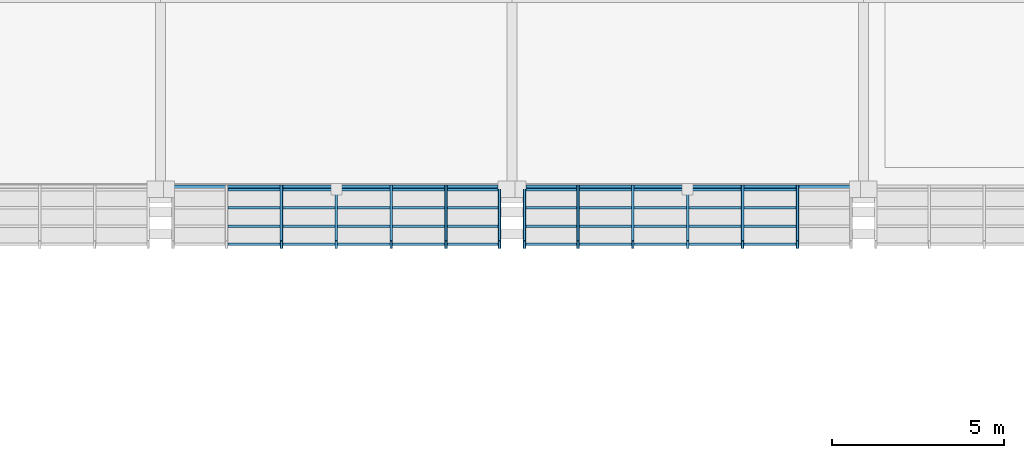
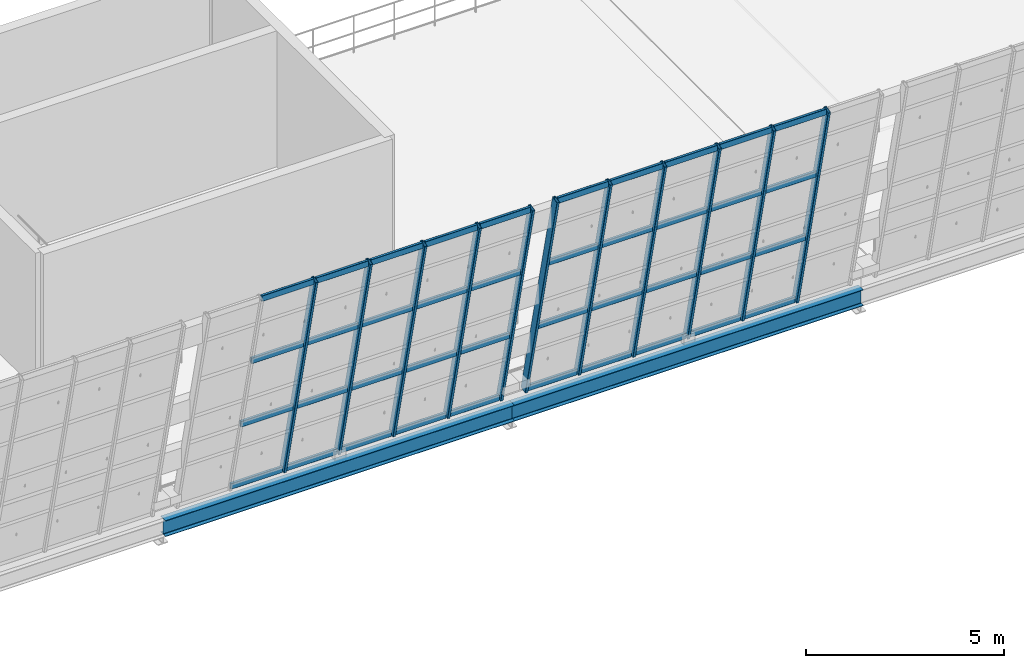
# One storey, part 47 of 157: 51 members, 2 beams, 2 elements without a shape of their own.
"""IFC4 building model written with IfcOpenShell, lengths in metres."""

from ifc_helpers import new_model, si_unit, direction, frame, origin, origin_2d, place, context, subcontext, project, spatial, hollow_rectangle, i_section, extrude, material, material_profile, profile_set, type_object, element, aggregate, save


model = new_model("IFC4")

# Units and contexts
model_context = context("Model", 3, precision=1e-05, world=origin(), true_north=direction((0.0, 1.0)))
body_context = subcontext(model_context, "Body", "Model", "MODEL_VIEW")
ifc_project = project(units=[si_unit("LENGTHUNIT", "METRE"), si_unit("AREAUNIT", "SQUARE_METRE"), si_unit("VOLUMEUNIT", "CUBIC_METRE"), si_unit("PLANEANGLEUNIT", "RADIAN"), si_unit("MASSUNIT", "GRAM", prefix="KILO")], contexts=[model_context])

# Site, building, storey
site_placement = place(None, origin())
site = spatial("IfcSite", under=ifc_project, at=site_placement, CompositionType="ELEMENT")
building_placement = place(site_placement, origin())
building = spatial("IfcBuilding", under=site, at=building_placement, Name="Brelvane Convention Centre", CompositionType="ELEMENT")
storey_placement = place(building_placement, frame((0.0, 0.0, 10.800048828125)))
storey = spatial("IfcBuildingStorey", under=building, at=storey_placement, Name="L02", CompositionType="ELEMENT", Elevation=10.800048828125)

# Curtain wall, members
ifc_material_1 = material(Name="Anodised Aluminium Alloy 6063-T6", Category="aluminium")
curtain_wall_type = type_object("IfcCurtainWallType", Name="Curtain Wall CW-HULL-S", PredefinedType="USERDEFINED", material=ifc_material_1)
curtain_wall_1_placement = place(storey_placement, origin())
curtain_wall_1 = element("IfcCurtainWall", 1, at=curtain_wall_1_placement, inside=storey, type_object=curtain_wall_type, Name="Curtain Wall CW-HULL-S L02-HULL-S-L02-13", ObjectType="UNITISED", PredefinedType="USERDEFINED")
ifc_material_2 = material(Name="Anodised Aluminium Alloy 6063-T6", Category="aluminium")
ifc_material_profile_1 = material_profile(ifc_material_2, hollow_rectangle(XDim=0.080078125, YDim=0.239990234375, WallThickness=0.006103515625, InnerFilletRadius=0.006103515625, OuterFilletRadius=0.011962890625, at=origin_2d()), Name="ALU-M 240x80x6.0")
ifc_profile_set_1 = profile_set([ifc_material_profile_1], Name="Anodised Aluminium Alloy 6063-T6")
member_type_1 = type_object("IfcMemberType", Name="Curtain Mullion CW-M1", PredefinedType="MULLION", material=ifc_profile_set_1)
member_1_placement = place(storey_placement, frame((125.90673828125, 13.60009765625, 0.0), z_axis=(0.0, -0.228360410362, 0.973576665178), x_axis=(1.0, 0.0, 0.0)))
member_1 = element("IfcMember", 2, at=member_1_placement, type_object=member_type_1, Name="CW-HULL-S mullion 3", PredefinedType="MULLION", context=body_context, shape_type="SweptSolid", body=[
    extrude(hollow_rectangle(XDim=0.080078125, YDim=0.239990234375, WallThickness=0.006103515625, InnerFilletRadius=0.006103515625, OuterFilletRadius=0.011962890625, at=origin_2d()), origin(), (0.0, 0.0, 1.0), 7.03564453125),
])
member_2_placement = place(storey_placement, frame((127.5, 13.60009765625, 0.0), z_axis=(0.0, -0.228360410362, 0.973576665178), x_axis=(1.0, 0.0, 0.0)))
member_2 = element("IfcMember", 3, at=member_2_placement, type_object=member_type_1, Name="CW-HULL-S mullion 4", PredefinedType="MULLION", context=body_context, shape_type="SweptSolid", body=[
    extrude(hollow_rectangle(XDim=0.080078125, YDim=0.239990234375, WallThickness=0.006103515625, InnerFilletRadius=0.006103515625, OuterFilletRadius=0.011962890625, at=origin_2d()), origin(), (0.0, 0.0, 1.0), 7.03564453125),
])
member_3_placement = place(storey_placement, frame((129.09326171875, 13.60009765625, 0.0), z_axis=(0.0, -0.228360410362, 0.973576665178), x_axis=(1.0, 0.0, 0.0)))
member_3 = element("IfcMember", 4, at=member_3_placement, type_object=member_type_1, Name="CW-HULL-S mullion 5", PredefinedType="MULLION", context=body_context, shape_type="SweptSolid", body=[
    extrude(hollow_rectangle(XDim=0.080078125, YDim=0.239990234375, WallThickness=0.006103515625, InnerFilletRadius=0.006103515625, OuterFilletRadius=0.011962890625, at=origin_2d()), origin(), (0.0, 0.0, 1.0), 7.03564453125),
])
member_4_placement = place(storey_placement, frame((130.686767578125, 13.60009765625, 0.0), z_axis=(0.0, -0.228360410362, 0.973576665178), x_axis=(1.0, 0.0, 0.0)))
member_4 = element("IfcMember", 5, at=member_4_placement, type_object=member_type_1, Name="CW-HULL-S mullion 6", PredefinedType="MULLION", context=body_context, shape_type="SweptSolid", body=[
    extrude(hollow_rectangle(XDim=0.080078125, YDim=0.239990234375, WallThickness=0.006103515625, InnerFilletRadius=0.006103515625, OuterFilletRadius=0.011962890625, at=origin_2d()), origin(), (0.0, 0.0, 1.0), 7.03564453125),
])
member_5_placement = place(storey_placement, frame((132.239990234375, 13.60009765625, 0.0), z_axis=(0.0, -0.228360410362, 0.973576665178), x_axis=(1.0, 0.0, 0.0)))
member_5 = element("IfcMember", 6, at=member_5_placement, type_object=member_type_1, Name="CW-HULL-S mullion 7", PredefinedType="MULLION", context=body_context, shape_type="SweptSolid", body=[
    extrude(hollow_rectangle(XDim=0.080078125, YDim=0.239990234375, WallThickness=0.006103515625, InnerFilletRadius=0.006103515625, OuterFilletRadius=0.011962890625, at=origin_2d()), origin(), (0.0, 0.0, 1.0), 7.03564453125),
])

curtain_wall_2_placement = place(storey_placement, origin())
curtain_wall_2 = element("IfcCurtainWall", 7, at=curtain_wall_2_placement, inside=storey, type_object=curtain_wall_type, Name="Curtain Wall CW-HULL-S L02-HULL-S-L02-14", ObjectType="UNITISED", PredefinedType="USERDEFINED")
member_6_placement = place(storey_placement, frame((132.9599609375, 13.60009765625, 0.0), z_axis=(0.0, -0.228360410362, 0.973576665178), x_axis=(1.0, 0.0, 0.0)))
member_6 = element("IfcMember", 8, at=member_6_placement, type_object=member_type_1, Name="CW-HULL-S mullion 1", PredefinedType="MULLION", context=body_context, shape_type="SweptSolid", body=[
    extrude(hollow_rectangle(XDim=0.080078125, YDim=0.239990234375, WallThickness=0.006103515625, InnerFilletRadius=0.006103515625, OuterFilletRadius=0.011962890625, at=origin_2d()), origin(), (0.0, 0.0, 1.0), 7.03564453125),
])
member_7_placement = place(storey_placement, frame((134.513427734375, 13.60009765625, 0.0), z_axis=(0.0, -0.228360410362, 0.973576665178), x_axis=(1.0, 0.0, 0.0)))
member_7 = element("IfcMember", 9, at=member_7_placement, type_object=member_type_1, Name="CW-HULL-S mullion 2", PredefinedType="MULLION", context=body_context, shape_type="SweptSolid", body=[
    extrude(hollow_rectangle(XDim=0.080078125, YDim=0.239990234375, WallThickness=0.006103515625, InnerFilletRadius=0.006103515625, OuterFilletRadius=0.011962890625, at=origin_2d()), origin(), (0.0, 0.0, 1.0), 7.03564453125),
])
member_8_placement = place(storey_placement, frame((136.106689453125, 13.60009765625, 0.0), z_axis=(0.0, -0.228360410362, 0.973576665178), x_axis=(1.0, 0.0, 0.0)))
member_8 = element("IfcMember", 10, at=member_8_placement, type_object=member_type_1, Name="CW-HULL-S mullion 3", PredefinedType="MULLION", context=body_context, shape_type="SweptSolid", body=[
    extrude(hollow_rectangle(XDim=0.080078125, YDim=0.239990234375, WallThickness=0.006103515625, InnerFilletRadius=0.006103515625, OuterFilletRadius=0.011962890625, at=origin_2d()), origin(), (0.0, 0.0, 1.0), 7.03564453125),
])
member_9_placement = place(storey_placement, frame((137.699951171875, 13.60009765625, 0.0), z_axis=(0.0, -0.228360410362, 0.973576665178), x_axis=(1.0, 0.0, 0.0)))
member_9 = element("IfcMember", 11, at=member_9_placement, type_object=member_type_1, Name="CW-HULL-S mullion 4", PredefinedType="MULLION", context=body_context, shape_type="SweptSolid", body=[
    extrude(hollow_rectangle(XDim=0.080078125, YDim=0.239990234375, WallThickness=0.006103515625, InnerFilletRadius=0.006103515625, OuterFilletRadius=0.011962890625, at=origin_2d()), origin(), (0.0, 0.0, 1.0), 7.03564453125),
])
member_10_placement = place(storey_placement, frame((139.293212890625, 13.60009765625, 0.0), z_axis=(0.0, -0.228360410362, 0.973576665178), x_axis=(1.0, 0.0, 0.0)))
member_10 = element("IfcMember", 12, at=member_10_placement, type_object=member_type_1, Name="CW-HULL-S mullion 5", PredefinedType="MULLION", context=body_context, shape_type="SweptSolid", body=[
    extrude(hollow_rectangle(XDim=0.080078125, YDim=0.239990234375, WallThickness=0.006103515625, InnerFilletRadius=0.006103515625, OuterFilletRadius=0.011962890625, at=origin_2d()), origin(), (0.0, 0.0, 1.0), 7.03564453125),
])
member_11_placement = place(storey_placement, frame((140.88671875, 13.60009765625, 0.0), z_axis=(0.0, -0.228360410362, 0.973576665178), x_axis=(1.0, 0.0, 0.0)))
member_11 = element("IfcMember", 13, at=member_11_placement, type_object=member_type_1, Name="CW-HULL-S mullion 6", PredefinedType="MULLION", context=body_context, shape_type="SweptSolid", body=[
    extrude(hollow_rectangle(XDim=0.080078125, YDim=0.239990234375, WallThickness=0.006103515625, InnerFilletRadius=0.006103515625, OuterFilletRadius=0.011962890625, at=origin_2d()), origin(), (0.0, 0.0, 1.0), 7.03564453125),
])

# Member
ifc_material_3 = material(Name="Anodised Aluminium Alloy 6063-T6", Category="aluminium")
ifc_material_profile_2 = material_profile(ifc_material_3, hollow_rectangle(XDim=0.080078125, YDim=0.179931640625, WallThickness=0.0048828125, InnerFilletRadius=0.0048828125, OuterFilletRadius=0.010009765625, at=origin_2d()), Name="ALU-T 180x80x5.0")
ifc_profile_set_2 = profile_set([ifc_material_profile_2], Name="Anodised Aluminium Alloy 6063-T6")
member_type_2 = type_object("IfcMemberType", Name="Curtain Transom CW-T1", PredefinedType="USERDEFINED", material=ifc_profile_set_2)
member_12_placement = place(storey_placement, frame((124.353271484375, 13.590576171875, 0.0400390625), z_axis=(1.0, 0.0, 0.0), x_axis=(0.0, 1.0, 0.0)))
member_12 = element("IfcMember", 14, at=member_12_placement, type_object=member_type_2, Name="CW-HULL-S transom 2.1", ObjectType="TRANSOM", PredefinedType="USERDEFINED", context=body_context, shape_type="SweptSolid", body=[
    extrude(hollow_rectangle(XDim=0.080078125, YDim=0.179931640625, WallThickness=0.0048828125, InnerFilletRadius=0.0048828125, OuterFilletRadius=0.010009765625, at=origin_2d()), origin(), (0.0, 0.0, 1.0), 1.513427734375),
])

member_13_placement = place(storey_placement, frame((124.353271484375, 13.064453125, 2.283203125), z_axis=(1.0, 0.0, 0.0), x_axis=(0.0, 1.0, 0.0)))
member_13 = element("IfcMember", 15, at=member_13_placement, type_object=member_type_2, Name="CW-HULL-S transom 2.2", ObjectType="TRANSOM", PredefinedType="USERDEFINED", context=body_context, shape_type="SweptSolid", body=[
    extrude(hollow_rectangle(XDim=0.080078125, YDim=0.179931640625, WallThickness=0.0048828125, InnerFilletRadius=0.0048828125, OuterFilletRadius=0.010009765625, at=origin_2d()), origin(), (0.0, 0.0, 1.0), 1.513427734375),
])

member_14_placement = place(storey_placement, frame((124.353271484375, 12.52880859375, 4.566650390625), z_axis=(1.0, 0.0, 0.0), x_axis=(0.0, 1.0, 0.0)))
member_14 = element("IfcMember", 16, at=member_14_placement, type_object=member_type_2, Name="CW-HULL-S transom 2.3", ObjectType="TRANSOM", PredefinedType="USERDEFINED", context=body_context, shape_type="SweptSolid", body=[
    extrude(hollow_rectangle(XDim=0.080078125, YDim=0.179931640625, WallThickness=0.0048828125, InnerFilletRadius=0.0048828125, OuterFilletRadius=0.010009765625, at=origin_2d()), origin(), (0.0, 0.0, 1.0), 1.513427734375),
])

member_15_placement = place(storey_placement, frame((124.353271484375, 12.002685546875, 6.81005859375), z_axis=(1.0, 0.0, 0.0), x_axis=(0.0, 1.0, 0.0)))
member_15 = element("IfcMember", 17, at=member_15_placement, type_object=member_type_2, Name="CW-HULL-S transom 2.4", ObjectType="TRANSOM", PredefinedType="USERDEFINED", context=body_context, shape_type="SweptSolid", body=[
    extrude(hollow_rectangle(XDim=0.080078125, YDim=0.179931640625, WallThickness=0.0048828125, InnerFilletRadius=0.0048828125, OuterFilletRadius=0.010009765625, at=origin_2d()), origin(), (0.0, 0.0, 1.0), 1.513427734375),
])

member_16_placement = place(storey_placement, frame((125.94677734375, 13.590576171875, 0.0400390625), z_axis=(1.0, 0.0, 0.0), x_axis=(0.0, 1.0, 0.0)))
member_16 = element("IfcMember", 18, at=member_16_placement, type_object=member_type_2, Name="CW-HULL-S transom 3.1", ObjectType="TRANSOM", PredefinedType="USERDEFINED", context=body_context, shape_type="SweptSolid", body=[
    extrude(hollow_rectangle(XDim=0.080078125, YDim=0.179931640625, WallThickness=0.0048828125, InnerFilletRadius=0.0048828125, OuterFilletRadius=0.010009765625, at=origin_2d()), origin(), (0.0, 0.0, 1.0), 1.51318359375),
])

member_17_placement = place(storey_placement, frame((125.94677734375, 13.064453125, 2.283203125), z_axis=(1.0, 0.0, 0.0), x_axis=(0.0, 1.0, 0.0)))
member_17 = element("IfcMember", 19, at=member_17_placement, type_object=member_type_2, Name="CW-HULL-S transom 3.2", ObjectType="TRANSOM", PredefinedType="USERDEFINED", context=body_context, shape_type="SweptSolid", body=[
    extrude(hollow_rectangle(XDim=0.080078125, YDim=0.179931640625, WallThickness=0.0048828125, InnerFilletRadius=0.0048828125, OuterFilletRadius=0.010009765625, at=origin_2d()), origin(), (0.0, 0.0, 1.0), 1.51318359375),
])

member_18_placement = place(storey_placement, frame((125.94677734375, 12.52880859375, 4.566650390625), z_axis=(1.0, 0.0, 0.0), x_axis=(0.0, 1.0, 0.0)))
member_18 = element("IfcMember", 20, at=member_18_placement, type_object=member_type_2, Name="CW-HULL-S transom 3.3", ObjectType="TRANSOM", PredefinedType="USERDEFINED", context=body_context, shape_type="SweptSolid", body=[
    extrude(hollow_rectangle(XDim=0.080078125, YDim=0.179931640625, WallThickness=0.0048828125, InnerFilletRadius=0.0048828125, OuterFilletRadius=0.010009765625, at=origin_2d()), origin(), (0.0, 0.0, 1.0), 1.51318359375),
])

member_19_placement = place(storey_placement, frame((125.94677734375, 12.002685546875, 6.81005859375), z_axis=(1.0, 0.0, 0.0), x_axis=(0.0, 1.0, 0.0)))
member_19 = element("IfcMember", 21, at=member_19_placement, type_object=member_type_2, Name="CW-HULL-S transom 3.4", ObjectType="TRANSOM", PredefinedType="USERDEFINED", context=body_context, shape_type="SweptSolid", body=[
    extrude(hollow_rectangle(XDim=0.080078125, YDim=0.179931640625, WallThickness=0.0048828125, InnerFilletRadius=0.0048828125, OuterFilletRadius=0.010009765625, at=origin_2d()), origin(), (0.0, 0.0, 1.0), 1.51318359375),
])

member_20_placement = place(storey_placement, frame((127.5400390625, 13.590576171875, 0.0400390625), z_axis=(1.0, 0.0, 0.0), x_axis=(0.0, 1.0, 0.0)))
member_20 = element("IfcMember", 22, at=member_20_placement, type_object=member_type_2, Name="CW-HULL-S transom 4.1", ObjectType="TRANSOM", PredefinedType="USERDEFINED", context=body_context, shape_type="SweptSolid", body=[
    extrude(hollow_rectangle(XDim=0.080078125, YDim=0.179931640625, WallThickness=0.0048828125, InnerFilletRadius=0.0048828125, OuterFilletRadius=0.010009765625, at=origin_2d()), origin(), (0.0, 0.0, 1.0), 1.51318359375),
])

member_21_placement = place(storey_placement, frame((127.5400390625, 13.064453125, 2.283203125), z_axis=(1.0, 0.0, 0.0), x_axis=(0.0, 1.0, 0.0)))
member_21 = element("IfcMember", 23, at=member_21_placement, type_object=member_type_2, Name="CW-HULL-S transom 4.2", ObjectType="TRANSOM", PredefinedType="USERDEFINED", context=body_context, shape_type="SweptSolid", body=[
    extrude(hollow_rectangle(XDim=0.080078125, YDim=0.179931640625, WallThickness=0.0048828125, InnerFilletRadius=0.0048828125, OuterFilletRadius=0.010009765625, at=origin_2d()), origin(), (0.0, 0.0, 1.0), 1.51318359375),
])

member_22_placement = place(storey_placement, frame((127.5400390625, 12.52880859375, 4.566650390625), z_axis=(1.0, 0.0, 0.0), x_axis=(0.0, 1.0, 0.0)))
member_22 = element("IfcMember", 24, at=member_22_placement, type_object=member_type_2, Name="CW-HULL-S transom 4.3", ObjectType="TRANSOM", PredefinedType="USERDEFINED", context=body_context, shape_type="SweptSolid", body=[
    extrude(hollow_rectangle(XDim=0.080078125, YDim=0.179931640625, WallThickness=0.0048828125, InnerFilletRadius=0.0048828125, OuterFilletRadius=0.010009765625, at=origin_2d()), origin(), (0.0, 0.0, 1.0), 1.51318359375),
])

member_23_placement = place(storey_placement, frame((127.5400390625, 12.002685546875, 6.81005859375), z_axis=(1.0, 0.0, 0.0), x_axis=(0.0, 1.0, 0.0)))
member_23 = element("IfcMember", 25, at=member_23_placement, type_object=member_type_2, Name="CW-HULL-S transom 4.4", ObjectType="TRANSOM", PredefinedType="USERDEFINED", context=body_context, shape_type="SweptSolid", body=[
    extrude(hollow_rectangle(XDim=0.080078125, YDim=0.179931640625, WallThickness=0.0048828125, InnerFilletRadius=0.0048828125, OuterFilletRadius=0.010009765625, at=origin_2d()), origin(), (0.0, 0.0, 1.0), 1.51318359375),
])

member_24_placement = place(storey_placement, frame((129.13330078125, 13.590576171875, 0.0400390625), z_axis=(1.0, 0.0, 0.0), x_axis=(0.0, 1.0, 0.0)))
member_24 = element("IfcMember", 26, at=member_24_placement, type_object=member_type_2, Name="CW-HULL-S transom 5.1", ObjectType="TRANSOM", PredefinedType="USERDEFINED", context=body_context, shape_type="SweptSolid", body=[
    extrude(hollow_rectangle(XDim=0.080078125, YDim=0.179931640625, WallThickness=0.0048828125, InnerFilletRadius=0.0048828125, OuterFilletRadius=0.010009765625, at=origin_2d()), origin(), (0.0, 0.0, 1.0), 1.513427734375),
])

member_25_placement = place(storey_placement, frame((129.13330078125, 13.064453125, 2.283203125), z_axis=(1.0, 0.0, 0.0), x_axis=(0.0, 1.0, 0.0)))
member_25 = element("IfcMember", 27, at=member_25_placement, type_object=member_type_2, Name="CW-HULL-S transom 5.2", ObjectType="TRANSOM", PredefinedType="USERDEFINED", context=body_context, shape_type="SweptSolid", body=[
    extrude(hollow_rectangle(XDim=0.080078125, YDim=0.179931640625, WallThickness=0.0048828125, InnerFilletRadius=0.0048828125, OuterFilletRadius=0.010009765625, at=origin_2d()), origin(), (0.0, 0.0, 1.0), 1.513427734375),
])

member_26_placement = place(storey_placement, frame((129.13330078125, 12.52880859375, 4.566650390625), z_axis=(1.0, 0.0, 0.0), x_axis=(0.0, 1.0, 0.0)))
member_26 = element("IfcMember", 28, at=member_26_placement, type_object=member_type_2, Name="CW-HULL-S transom 5.3", ObjectType="TRANSOM", PredefinedType="USERDEFINED", context=body_context, shape_type="SweptSolid", body=[
    extrude(hollow_rectangle(XDim=0.080078125, YDim=0.179931640625, WallThickness=0.0048828125, InnerFilletRadius=0.0048828125, OuterFilletRadius=0.010009765625, at=origin_2d()), origin(), (0.0, 0.0, 1.0), 1.513427734375),
])

member_27_placement = place(storey_placement, frame((129.13330078125, 12.002685546875, 6.81005859375), z_axis=(1.0, 0.0, 0.0), x_axis=(0.0, 1.0, 0.0)))
member_27 = element("IfcMember", 29, at=member_27_placement, type_object=member_type_2, Name="CW-HULL-S transom 5.4", ObjectType="TRANSOM", PredefinedType="USERDEFINED", context=body_context, shape_type="SweptSolid", body=[
    extrude(hollow_rectangle(XDim=0.080078125, YDim=0.179931640625, WallThickness=0.0048828125, InnerFilletRadius=0.0048828125, OuterFilletRadius=0.010009765625, at=origin_2d()), origin(), (0.0, 0.0, 1.0), 1.513427734375),
])

member_28_placement = place(storey_placement, frame((130.7265625, 13.590576171875, 0.0400390625), z_axis=(1.0, 0.0, 0.0), x_axis=(0.0, 1.0, 0.0)))
member_28 = element("IfcMember", 30, at=member_28_placement, type_object=member_type_2, Name="CW-HULL-S transom 6.1", ObjectType="TRANSOM", PredefinedType="USERDEFINED", context=body_context, shape_type="SweptSolid", body=[
    extrude(hollow_rectangle(XDim=0.080078125, YDim=0.179931640625, WallThickness=0.0048828125, InnerFilletRadius=0.0048828125, OuterFilletRadius=0.010009765625, at=origin_2d()), origin(), (0.0, 0.0, 1.0), 1.473388671875),
])

member_29_placement = place(storey_placement, frame((130.7265625, 13.064453125, 2.283203125), z_axis=(1.0, 0.0, 0.0), x_axis=(0.0, 1.0, 0.0)))
member_29 = element("IfcMember", 31, at=member_29_placement, type_object=member_type_2, Name="CW-HULL-S transom 6.2", ObjectType="TRANSOM", PredefinedType="USERDEFINED", context=body_context, shape_type="SweptSolid", body=[
    extrude(hollow_rectangle(XDim=0.080078125, YDim=0.179931640625, WallThickness=0.0048828125, InnerFilletRadius=0.0048828125, OuterFilletRadius=0.010009765625, at=origin_2d()), origin(), (0.0, 0.0, 1.0), 1.473388671875),
])

member_30_placement = place(storey_placement, frame((130.7265625, 12.52880859375, 4.566650390625), z_axis=(1.0, 0.0, 0.0), x_axis=(0.0, 1.0, 0.0)))
member_30 = element("IfcMember", 32, at=member_30_placement, type_object=member_type_2, Name="CW-HULL-S transom 6.3", ObjectType="TRANSOM", PredefinedType="USERDEFINED", context=body_context, shape_type="SweptSolid", body=[
    extrude(hollow_rectangle(XDim=0.080078125, YDim=0.179931640625, WallThickness=0.0048828125, InnerFilletRadius=0.0048828125, OuterFilletRadius=0.010009765625, at=origin_2d()), origin(), (0.0, 0.0, 1.0), 1.473388671875),
])

member_31_placement = place(storey_placement, frame((130.7265625, 12.002685546875, 6.81005859375), z_axis=(1.0, 0.0, 0.0), x_axis=(0.0, 1.0, 0.0)))
member_31 = element("IfcMember", 33, at=member_31_placement, type_object=member_type_2, Name="CW-HULL-S transom 6.4", ObjectType="TRANSOM", PredefinedType="USERDEFINED", context=body_context, shape_type="SweptSolid", body=[
    extrude(hollow_rectangle(XDim=0.080078125, YDim=0.179931640625, WallThickness=0.0048828125, InnerFilletRadius=0.0048828125, OuterFilletRadius=0.010009765625, at=origin_2d()), origin(), (0.0, 0.0, 1.0), 1.473388671875),
])

aggregate(curtain_wall_1, [member_1, member_2, member_3, member_4, member_5, member_12, member_13, member_14, member_15, member_16, member_17, member_18, member_19, member_20, member_21, member_22, member_23, member_24, member_25, member_26, member_27, member_28, member_29, member_30, member_31])

member_32_placement = place(storey_placement, frame((133.0, 13.590576171875, 0.0400390625), z_axis=(1.0, 0.0, 0.0), x_axis=(0.0, 1.0, 0.0)))
member_32 = element("IfcMember", 34, at=member_32_placement, type_object=member_type_2, Name="CW-HULL-S transom 1.1", ObjectType="TRANSOM", PredefinedType="USERDEFINED", context=body_context, shape_type="SweptSolid", body=[
    extrude(hollow_rectangle(XDim=0.080078125, YDim=0.179931640625, WallThickness=0.0048828125, InnerFilletRadius=0.0048828125, OuterFilletRadius=0.010009765625, at=origin_2d()), origin(), (0.0, 0.0, 1.0), 1.473388671875),
])

member_33_placement = place(storey_placement, frame((133.0, 13.064453125, 2.283203125), z_axis=(1.0, 0.0, 0.0), x_axis=(0.0, 1.0, 0.0)))
member_33 = element("IfcMember", 35, at=member_33_placement, type_object=member_type_2, Name="CW-HULL-S transom 1.2", ObjectType="TRANSOM", PredefinedType="USERDEFINED", context=body_context, shape_type="SweptSolid", body=[
    extrude(hollow_rectangle(XDim=0.080078125, YDim=0.179931640625, WallThickness=0.0048828125, InnerFilletRadius=0.0048828125, OuterFilletRadius=0.010009765625, at=origin_2d()), origin(), (0.0, 0.0, 1.0), 1.473388671875),
])

member_34_placement = place(storey_placement, frame((133.0, 12.52880859375, 4.566650390625), z_axis=(1.0, 0.0, 0.0), x_axis=(0.0, 1.0, 0.0)))
member_34 = element("IfcMember", 36, at=member_34_placement, type_object=member_type_2, Name="CW-HULL-S transom 1.3", ObjectType="TRANSOM", PredefinedType="USERDEFINED", context=body_context, shape_type="SweptSolid", body=[
    extrude(hollow_rectangle(XDim=0.080078125, YDim=0.179931640625, WallThickness=0.0048828125, InnerFilletRadius=0.0048828125, OuterFilletRadius=0.010009765625, at=origin_2d()), origin(), (0.0, 0.0, 1.0), 1.473388671875),
])

member_35_placement = place(storey_placement, frame((133.0, 12.002685546875, 6.81005859375), z_axis=(1.0, 0.0, 0.0), x_axis=(0.0, 1.0, 0.0)))
member_35 = element("IfcMember", 37, at=member_35_placement, type_object=member_type_2, Name="CW-HULL-S transom 1.4", ObjectType="TRANSOM", PredefinedType="USERDEFINED", context=body_context, shape_type="SweptSolid", body=[
    extrude(hollow_rectangle(XDim=0.080078125, YDim=0.179931640625, WallThickness=0.0048828125, InnerFilletRadius=0.0048828125, OuterFilletRadius=0.010009765625, at=origin_2d()), origin(), (0.0, 0.0, 1.0), 1.473388671875),
])

member_36_placement = place(storey_placement, frame((134.55322265625, 13.590576171875, 0.0400390625), z_axis=(1.0, 0.0, 0.0), x_axis=(0.0, 1.0, 0.0)))
member_36 = element("IfcMember", 38, at=member_36_placement, type_object=member_type_2, Name="CW-HULL-S transom 2.1", ObjectType="TRANSOM", PredefinedType="USERDEFINED", context=body_context, shape_type="SweptSolid", body=[
    extrude(hollow_rectangle(XDim=0.080078125, YDim=0.179931640625, WallThickness=0.0048828125, InnerFilletRadius=0.0048828125, OuterFilletRadius=0.010009765625, at=origin_2d()), origin(), (0.0, 0.0, 1.0), 1.513427734375),
])

member_37_placement = place(storey_placement, frame((134.55322265625, 13.064453125, 2.283203125), z_axis=(1.0, 0.0, 0.0), x_axis=(0.0, 1.0, 0.0)))
member_37 = element("IfcMember", 39, at=member_37_placement, type_object=member_type_2, Name="CW-HULL-S transom 2.2", ObjectType="TRANSOM", PredefinedType="USERDEFINED", context=body_context, shape_type="SweptSolid", body=[
    extrude(hollow_rectangle(XDim=0.080078125, YDim=0.179931640625, WallThickness=0.0048828125, InnerFilletRadius=0.0048828125, OuterFilletRadius=0.010009765625, at=origin_2d()), origin(), (0.0, 0.0, 1.0), 1.513427734375),
])

member_38_placement = place(storey_placement, frame((134.55322265625, 12.52880859375, 4.566650390625), z_axis=(1.0, 0.0, 0.0), x_axis=(0.0, 1.0, 0.0)))
member_38 = element("IfcMember", 40, at=member_38_placement, type_object=member_type_2, Name="CW-HULL-S transom 2.3", ObjectType="TRANSOM", PredefinedType="USERDEFINED", context=body_context, shape_type="SweptSolid", body=[
    extrude(hollow_rectangle(XDim=0.080078125, YDim=0.179931640625, WallThickness=0.0048828125, InnerFilletRadius=0.0048828125, OuterFilletRadius=0.010009765625, at=origin_2d()), origin(), (0.0, 0.0, 1.0), 1.513427734375),
])

member_39_placement = place(storey_placement, frame((134.55322265625, 12.002685546875, 6.81005859375), z_axis=(1.0, 0.0, 0.0), x_axis=(0.0, 1.0, 0.0)))
member_39 = element("IfcMember", 41, at=member_39_placement, type_object=member_type_2, Name="CW-HULL-S transom 2.4", ObjectType="TRANSOM", PredefinedType="USERDEFINED", context=body_context, shape_type="SweptSolid", body=[
    extrude(hollow_rectangle(XDim=0.080078125, YDim=0.179931640625, WallThickness=0.0048828125, InnerFilletRadius=0.0048828125, OuterFilletRadius=0.010009765625, at=origin_2d()), origin(), (0.0, 0.0, 1.0), 1.513427734375),
])

member_40_placement = place(storey_placement, frame((136.146728515625, 13.590576171875, 0.0400390625), z_axis=(1.0, 0.0, 0.0), x_axis=(0.0, 1.0, 0.0)))
member_40 = element("IfcMember", 42, at=member_40_placement, type_object=member_type_2, Name="CW-HULL-S transom 3.1", ObjectType="TRANSOM", PredefinedType="USERDEFINED", context=body_context, shape_type="SweptSolid", body=[
    extrude(hollow_rectangle(XDim=0.080078125, YDim=0.179931640625, WallThickness=0.0048828125, InnerFilletRadius=0.0048828125, OuterFilletRadius=0.010009765625, at=origin_2d()), origin(), (0.0, 0.0, 1.0), 1.51318359375),
])

member_41_placement = place(storey_placement, frame((136.146728515625, 13.064453125, 2.283203125), z_axis=(1.0, 0.0, 0.0), x_axis=(0.0, 1.0, 0.0)))
member_41 = element("IfcMember", 43, at=member_41_placement, type_object=member_type_2, Name="CW-HULL-S transom 3.2", ObjectType="TRANSOM", PredefinedType="USERDEFINED", context=body_context, shape_type="SweptSolid", body=[
    extrude(hollow_rectangle(XDim=0.080078125, YDim=0.179931640625, WallThickness=0.0048828125, InnerFilletRadius=0.0048828125, OuterFilletRadius=0.010009765625, at=origin_2d()), origin(), (0.0, 0.0, 1.0), 1.51318359375),
])

member_42_placement = place(storey_placement, frame((136.146728515625, 12.52880859375, 4.566650390625), z_axis=(1.0, 0.0, 0.0), x_axis=(0.0, 1.0, 0.0)))
member_42 = element("IfcMember", 44, at=member_42_placement, type_object=member_type_2, Name="CW-HULL-S transom 3.3", ObjectType="TRANSOM", PredefinedType="USERDEFINED", context=body_context, shape_type="SweptSolid", body=[
    extrude(hollow_rectangle(XDim=0.080078125, YDim=0.179931640625, WallThickness=0.0048828125, InnerFilletRadius=0.0048828125, OuterFilletRadius=0.010009765625, at=origin_2d()), origin(), (0.0, 0.0, 1.0), 1.51318359375),
])

member_43_placement = place(storey_placement, frame((136.146728515625, 12.002685546875, 6.81005859375), z_axis=(1.0, 0.0, 0.0), x_axis=(0.0, 1.0, 0.0)))
member_43 = element("IfcMember", 45, at=member_43_placement, type_object=member_type_2, Name="CW-HULL-S transom 3.4", ObjectType="TRANSOM", PredefinedType="USERDEFINED", context=body_context, shape_type="SweptSolid", body=[
    extrude(hollow_rectangle(XDim=0.080078125, YDim=0.179931640625, WallThickness=0.0048828125, InnerFilletRadius=0.0048828125, OuterFilletRadius=0.010009765625, at=origin_2d()), origin(), (0.0, 0.0, 1.0), 1.51318359375),
])

member_44_placement = place(storey_placement, frame((137.739990234375, 13.590576171875, 0.0400390625), z_axis=(1.0, 0.0, 0.0), x_axis=(0.0, 1.0, 0.0)))
member_44 = element("IfcMember", 46, at=member_44_placement, type_object=member_type_2, Name="CW-HULL-S transom 4.1", ObjectType="TRANSOM", PredefinedType="USERDEFINED", context=body_context, shape_type="SweptSolid", body=[
    extrude(hollow_rectangle(XDim=0.080078125, YDim=0.179931640625, WallThickness=0.0048828125, InnerFilletRadius=0.0048828125, OuterFilletRadius=0.010009765625, at=origin_2d()), origin(), (0.0, 0.0, 1.0), 1.513427734375),
])

member_45_placement = place(storey_placement, frame((137.739990234375, 13.064453125, 2.283203125), z_axis=(1.0, 0.0, 0.0), x_axis=(0.0, 1.0, 0.0)))
member_45 = element("IfcMember", 47, at=member_45_placement, type_object=member_type_2, Name="CW-HULL-S transom 4.2", ObjectType="TRANSOM", PredefinedType="USERDEFINED", context=body_context, shape_type="SweptSolid", body=[
    extrude(hollow_rectangle(XDim=0.080078125, YDim=0.179931640625, WallThickness=0.0048828125, InnerFilletRadius=0.0048828125, OuterFilletRadius=0.010009765625, at=origin_2d()), origin(), (0.0, 0.0, 1.0), 1.513427734375),
])

member_46_placement = place(storey_placement, frame((137.739990234375, 12.52880859375, 4.566650390625), z_axis=(1.0, 0.0, 0.0), x_axis=(0.0, 1.0, 0.0)))
member_46 = element("IfcMember", 48, at=member_46_placement, type_object=member_type_2, Name="CW-HULL-S transom 4.3", ObjectType="TRANSOM", PredefinedType="USERDEFINED", context=body_context, shape_type="SweptSolid", body=[
    extrude(hollow_rectangle(XDim=0.080078125, YDim=0.179931640625, WallThickness=0.0048828125, InnerFilletRadius=0.0048828125, OuterFilletRadius=0.010009765625, at=origin_2d()), origin(), (0.0, 0.0, 1.0), 1.513427734375),
])

member_47_placement = place(storey_placement, frame((137.739990234375, 12.002685546875, 6.81005859375), z_axis=(1.0, 0.0, 0.0), x_axis=(0.0, 1.0, 0.0)))
member_47 = element("IfcMember", 49, at=member_47_placement, type_object=member_type_2, Name="CW-HULL-S transom 4.4", ObjectType="TRANSOM", PredefinedType="USERDEFINED", context=body_context, shape_type="SweptSolid", body=[
    extrude(hollow_rectangle(XDim=0.080078125, YDim=0.179931640625, WallThickness=0.0048828125, InnerFilletRadius=0.0048828125, OuterFilletRadius=0.010009765625, at=origin_2d()), origin(), (0.0, 0.0, 1.0), 1.513427734375),
])

member_48_placement = place(storey_placement, frame((139.333251953125, 13.590576171875, 0.0400390625), z_axis=(1.0, 0.0, 0.0), x_axis=(0.0, 1.0, 0.0)))
member_48 = element("IfcMember", 50, at=member_48_placement, type_object=member_type_2, Name="CW-HULL-S transom 5.1", ObjectType="TRANSOM", PredefinedType="USERDEFINED", context=body_context, shape_type="SweptSolid", body=[
    extrude(hollow_rectangle(XDim=0.080078125, YDim=0.179931640625, WallThickness=0.0048828125, InnerFilletRadius=0.0048828125, OuterFilletRadius=0.010009765625, at=origin_2d()), origin(), (0.0, 0.0, 1.0), 1.513427734375),
])

member_49_placement = place(storey_placement, frame((139.333251953125, 13.064453125, 2.283203125), z_axis=(1.0, 0.0, 0.0), x_axis=(0.0, 1.0, 0.0)))
member_49 = element("IfcMember", 51, at=member_49_placement, type_object=member_type_2, Name="CW-HULL-S transom 5.2", ObjectType="TRANSOM", PredefinedType="USERDEFINED", context=body_context, shape_type="SweptSolid", body=[
    extrude(hollow_rectangle(XDim=0.080078125, YDim=0.179931640625, WallThickness=0.0048828125, InnerFilletRadius=0.0048828125, OuterFilletRadius=0.010009765625, at=origin_2d()), origin(), (0.0, 0.0, 1.0), 1.513427734375),
])

member_50_placement = place(storey_placement, frame((139.333251953125, 12.52880859375, 4.566650390625), z_axis=(1.0, 0.0, 0.0), x_axis=(0.0, 1.0, 0.0)))
member_50 = element("IfcMember", 52, at=member_50_placement, type_object=member_type_2, Name="CW-HULL-S transom 5.3", ObjectType="TRANSOM", PredefinedType="USERDEFINED", context=body_context, shape_type="SweptSolid", body=[
    extrude(hollow_rectangle(XDim=0.080078125, YDim=0.179931640625, WallThickness=0.0048828125, InnerFilletRadius=0.0048828125, OuterFilletRadius=0.010009765625, at=origin_2d()), origin(), (0.0, 0.0, 1.0), 1.513427734375),
])

member_51_placement = place(storey_placement, frame((139.333251953125, 12.002685546875, 6.81005859375), z_axis=(1.0, 0.0, 0.0), x_axis=(0.0, 1.0, 0.0)))
member_51 = element("IfcMember", 53, at=member_51_placement, type_object=member_type_2, Name="CW-HULL-S transom 5.4", ObjectType="TRANSOM", PredefinedType="USERDEFINED", context=body_context, shape_type="SweptSolid", body=[
    extrude(hollow_rectangle(XDim=0.080078125, YDim=0.179931640625, WallThickness=0.0048828125, InnerFilletRadius=0.0048828125, OuterFilletRadius=0.010009765625, at=origin_2d()), origin(), (0.0, 0.0, 1.0), 1.513427734375),
])

aggregate(curtain_wall_2, [member_6, member_7, member_8, member_9, member_10, member_11, member_32, member_33, member_34, member_35, member_36, member_37, member_38, member_39, member_40, member_41, member_42, member_43, member_44, member_45, member_46, member_47, member_48, member_49, member_50, member_51])

# Beams
ifc_material_4 = material(Name="Steel E350 (350 MPa)", Category="steel")
ifc_material_profile_3 = material_profile(ifc_material_4, i_section(OverallWidth=0.25, OverallDepth=0.5, WebThickness=0.010009765625, FlangeThickness=0.0146484375, FilletRadius=0.01611328125, at=origin_2d()), Name="ISWB 500")
ifc_profile_set_3 = profile_set([ifc_material_profile_3], Name="Steel E350 (350 MPa)")
beam_type = type_object("IfcBeamType", Name="Steel Spandrel SP-ST1 (ISWB 500)", PredefinedType="SPANDREL", material=ifc_profile_set_3)
beam_1_placement = place(storey_placement, frame((122.39990234375, 13.60009765625, -0.530029296875), z_axis=(1.0, 0.0, 0.0), x_axis=(0.0, 1.0, 0.0)))
element("IfcBeam", 54, at=beam_1_placement, inside=storey, type_object=beam_type, Name="L02 Hull Overhang Edge Spandrel 13", PredefinedType="SPANDREL", context=body_context, shape_type="SweptSolid", body=[
    extrude(i_section(OverallWidth=0.25, OverallDepth=0.5, WebThickness=0.010009765625, FlangeThickness=0.0146484375, FilletRadius=0.01611328125, at=origin_2d()), origin(), (0.0, 0.0, 1.0), 10.2001953125),
])
beam_2_placement = place(storey_placement, frame((132.60009765625, 13.60009765625, -0.530029296875), z_axis=(1.0, 0.0, 0.0), x_axis=(0.0, 1.0, 0.0)))
element("IfcBeam", 55, at=beam_2_placement, inside=storey, type_object=beam_type, Name="L02 Hull Overhang Edge Spandrel 14", PredefinedType="SPANDREL", context=body_context, shape_type="SweptSolid", body=[
    extrude(i_section(OverallWidth=0.25, OverallDepth=0.5, WebThickness=0.010009765625, FlangeThickness=0.0146484375, FilletRadius=0.01611328125, at=origin_2d()), origin(), (0.0, 0.0, 1.0), 10.199951171875),
])

save(model, "model.ifc")
